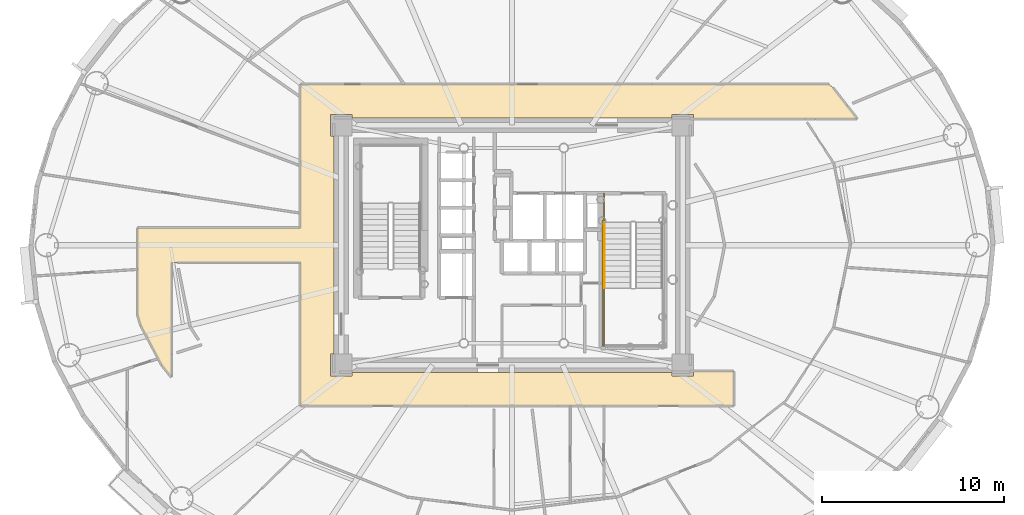
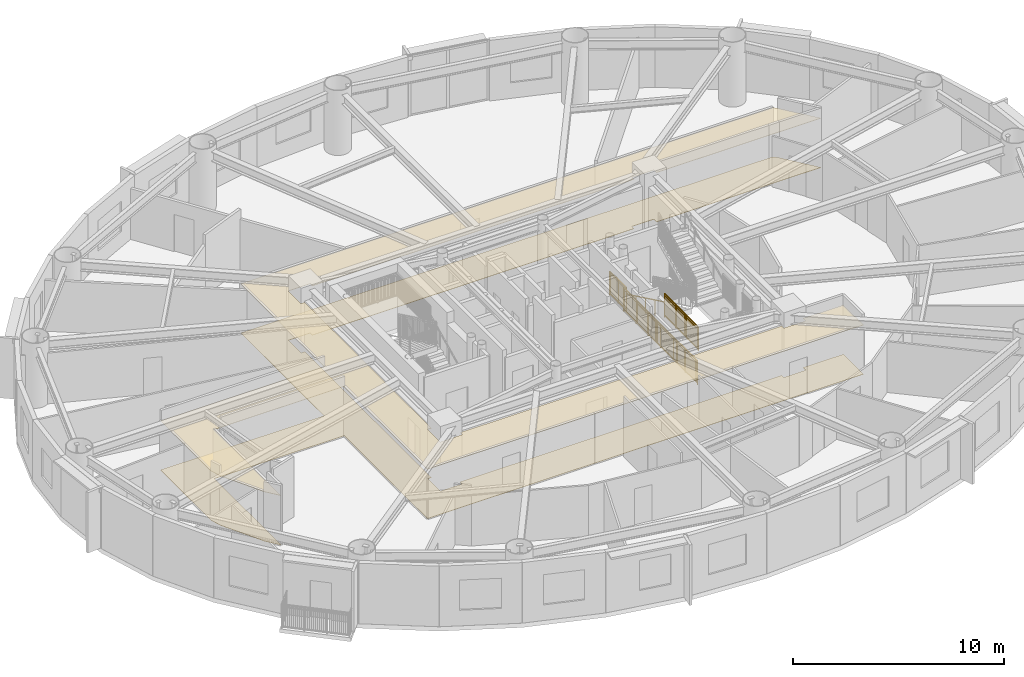
# One storey, part 15 of 18: 4 railings, 2 coverings.
"""IFC4 building model written with IfcOpenShell, lengths in metres."""

from ifc_helpers import new_model, si_unit, direction, frame, origin, origin_2d, place, context, subcontext, project, spatial, polyline, rectangle, outline, extrude, source, transform, mapped, material, layer, layer_set, type_object, element, save


model = new_model("IFC4")

# Units and contexts
model_context = context("Model", 3, precision=1e-05, world=origin(), true_north=direction((0.0, 1.0)))
body_context = subcontext(model_context, "Body", "Model", "MODEL_VIEW")
ifc_project = project(units=[si_unit("LENGTHUNIT", "METRE"), si_unit("AREAUNIT", "SQUARE_METRE"), si_unit("VOLUMEUNIT", "CUBIC_METRE"), si_unit("PLANEANGLEUNIT", "RADIAN"), si_unit("MASSUNIT", "GRAM", prefix="KILO")], contexts=[model_context])

# Site, building, storey
site_placement = place(None, origin())
site = spatial("IfcSite", under=ifc_project, at=site_placement, CompositionType="ELEMENT")
building_placement = place(site_placement, origin())
building = spatial("IfcBuilding", under=site, at=building_placement, Name="Linh Dai School and Residence Tower", CompositionType="ELEMENT")
storey_placement = place(building_placement, frame((0.0, 0.0, 167.39990234375)))
storey = spatial("IfcBuildingStorey", under=building, at=storey_placement, Name="L40", CompositionType="ELEMENT", Elevation=167.39990234375)

# Coverings
ifc_material_1 = material(Name="Mineral Fibre Acoustic Suspended Ceiling", Category="masonry")
ifc_layer_1 = layer(ifc_material_1, 0.02001953125)
ifc_layer_set_1 = layer_set([ifc_layer_1], Name="Mineral Fibre Acoustic Suspended Ceiling")
covering_type_1 = type_object("IfcCoveringType", Name="COV-CEIL-AC-20", PredefinedType="CEILING", material=ifc_layer_set_1)
covering_1_placement = place(storey_placement, frame((0.0, 0.0, 2.85009765625)))
element("IfcCovering", 1, at=covering_1_placement, inside=storey, type_object=covering_type_1, Name="L40 Residential Floor Corridor Suspended Ceiling", PredefinedType="CEILING", context=body_context, shape_type="SweptSolid", body=[
    extrude(outline(polyline([(17.25, 19.734375), (16.720458984375, 20.410888671875), (15.57421875, 22.577880859375), (15.39990234375, 23.14599609375), (15.39990234375, 27.949951171875), (24.35009765625, 27.949951171875), (24.35009765625, 35.85009765625), (53.453857421875, 35.85009765625), (53.6533203125, 35.6669921875), (54.9970703125, 33.949951171875), (46.0, 33.949951171875), (46.0, 34.199951171875), (44.800048828125, 34.199951171875), (44.800048828125, 34.0), (27.199951171875, 34.0), (27.199951171875, 34.199951171875), (26.0, 34.199951171875), (26.0, 33.0), (26.199951171875, 33.0), (26.199951171875, 21.0), (26.0, 21.0), (26.0, 19.800048828125), (27.199951171875, 19.800048828125), (27.199951171875, 20.0), (44.800048828125, 20.0), (44.800048828125, 19.800048828125), (46.0, 19.800048828125), (46.0, 20.050048828125), (48.199951171875, 20.050048828125), (48.199951171875, 18.14990234375), (24.35009765625, 18.14990234375), (24.35009765625, 26.050048828125), (17.25, 26.050048828125), (17.25, 19.734375)])), origin(), (0.0, 0.0, 1.0), 0.02001953125),
])
ifc_material_2 = material(Name="Polished Terrazzo Floor Finish", Category="masonry")
ifc_layer_2 = layer(ifc_material_2, 0.02490234375)
ifc_layer_set_2 = layer_set([ifc_layer_2], Name="Polished Terrazzo Floor Finish")
covering_type_2 = type_object("IfcCoveringType", Name="COV-FLR-TRZ-25", PredefinedType="FLOORING", material=ifc_layer_set_2)
covering_2_placement = place(storey_placement, origin())
element("IfcCovering", 2, at=covering_2_placement, inside=storey, type_object=covering_type_2, Name="L40 Residential Floor Corridor Floor Finish", PredefinedType="FLOORING", context=body_context, shape_type="SweptSolid", body=[
    extrude(outline(polyline([(17.25, 19.734375), (16.720458984375, 20.410888671875), (15.57421875, 22.577880859375), (15.39990234375, 23.14599609375), (15.39990234375, 27.949951171875), (24.35009765625, 27.949951171875), (24.35009765625, 35.85009765625), (53.453857421875, 35.85009765625), (53.6533203125, 35.6669921875), (54.9970703125, 33.949951171875), (46.0, 33.949951171875), (46.0, 34.199951171875), (44.800048828125, 34.199951171875), (44.800048828125, 34.0), (27.199951171875, 34.0), (27.199951171875, 34.199951171875), (26.0, 34.199951171875), (26.0, 33.0), (26.199951171875, 33.0), (26.199951171875, 21.0), (26.0, 21.0), (26.0, 19.800048828125), (27.199951171875, 19.800048828125), (27.199951171875, 20.0), (44.800048828125, 20.0), (44.800048828125, 19.800048828125), (46.0, 19.800048828125), (46.0, 20.050048828125), (48.199951171875, 20.050048828125), (48.199951171875, 18.14990234375), (24.35009765625, 18.14990234375), (24.35009765625, 26.050048828125), (17.25, 26.050048828125), (17.25, 19.734375)])), origin(), (0.0, 0.0, 1.0), 0.02001953125),
])

# Railings
ifc_material_3 = material(Name="Brushed Stainless Steel Handrail", Category="steel")
railing_type_1 = type_object("IfcRailingType", Name="RL-ST-HANDRAIL-900", PredefinedType="HANDRAIL", material=ifc_material_3)
shared_shape_1 = source(origin(), body_context, "Body", "SweptSolid", [
    extrude(rectangle(XDim=0.048095703125, YDim=0.048095703125, at=origin_2d()), frame((0.0, 0.0, 0.8759765625), z_axis=(0.0, -0.901262522062, 0.433273431364), x_axis=(1.0, 0.0, 0.0)), (0.0, 0.0, 1.0), 3.994384765625),
    extrude(rectangle(XDim=0.0419921875, YDim=0.0419921875, at=origin_2d()), origin(), (0.0, 0.0, 1.0), 0.8759765625),
    extrude(rectangle(XDim=0.0419921875, YDim=0.0419921875, at=origin_2d()), frame((0.0, -0.89990234375, 0.4326171875)), (0.0, 0.0, 1.0), 0.8759765625),
    extrude(rectangle(XDim=0.0419921875, YDim=0.0419921875, at=origin_2d()), frame((0.0, -1.800048828125, 0.865234375)), (0.0, 0.0, 1.0), 0.8759765625),
    extrude(rectangle(XDim=0.0419921875, YDim=0.0419921875, at=origin_2d()), frame((0.0, -2.7001953125, 1.298095703125)), (0.0, 0.0, 1.0), 0.8759765625),
    extrude(rectangle(XDim=0.0419921875, YDim=0.0419921875, at=origin_2d()), frame((0.0, -3.60009765625, 1.730712890625)), (0.0, 0.0, 1.0), 0.8759765625),
])
railing_1_placement = place(storey_placement, frame((41.070068359375, 28.25, 0.144287109375)))
element("IfcRailing", 3, at=railing_1_placement, inside=storey, type_object=railing_type_1, Name="L40 ST2 stair handrail 1", PredefinedType="HANDRAIL", context=body_context, shape_type="MappedRepresentation", body=[
    mapped(shared_shape_1, transform((0.0, 0.0, 0.0), x_axis=(1.0, 0.0, 0.0), y_axis=(0.0, 1.0, 0.0), z_axis=(0.0, 0.0, 1.0), scale=1.0)),
])
ifc_material_4 = material(Name="Structural Steel S355JR", Category="steel")
railing_type_2 = type_object("IfcRailingType", Name="RL-ST-GUARD-1400", PredefinedType="GUARDRAIL", material=ifc_material_4)
shared_shape_2 = source(origin(), body_context, "Body", "SweptSolid", [
    extrude(rectangle(XDim=0.048095703125, YDim=0.048095703125, at=origin_2d()), frame((0.0, 0.0, 1.3759765625), z_axis=(0.0, -1.0, 0.0), x_axis=(1.0, 0.0, 0.0)), (0.0, 0.0, 1.0), 1.60009765625),
    extrude(rectangle(XDim=0.048095703125, YDim=0.048095703125, at=origin_2d()), frame((0.0, 0.0, 0.10009765625), z_axis=(0.0, -1.0, 0.0), x_axis=(1.0, 0.0, 0.0)), (0.0, 0.0, 1.0), 1.60009765625),
    extrude(rectangle(XDim=0.030029296875, YDim=0.030029296875, at=origin_2d()), frame((0.0, 0.0, 1.239990234375), z_axis=(0.0, -1.0, 0.0), x_axis=(1.0, 0.0, 0.0)), (0.0, 0.0, 1.0), 1.60009765625),
    extrude(rectangle(XDim=0.02001953125, YDim=0.02001953125, at=origin_2d()), frame((0.0, -0.09423828125, 0.10009765625)), (0.0, 0.0, 1.0), 1.251708984375),
    extrude(rectangle(XDim=0.02001953125, YDim=0.02001953125, at=origin_2d()), frame((0.0, -0.188232421875, 0.10009765625)), (0.0, 0.0, 1.0), 1.251708984375),
    extrude(rectangle(XDim=0.02001953125, YDim=0.02001953125, at=origin_2d()), frame((0.0, -0.282470703125, 0.10009765625)), (0.0, 0.0, 1.0), 1.251708984375),
    extrude(rectangle(XDim=0.02001953125, YDim=0.02001953125, at=origin_2d()), frame((0.0, -0.37646484375, 0.10009765625)), (0.0, 0.0, 1.0), 1.251708984375),
    extrude(rectangle(XDim=0.02001953125, YDim=0.02001953125, at=origin_2d()), frame((0.0, -0.470703125, 0.10009765625)), (0.0, 0.0, 1.0), 1.251708984375),
    extrude(rectangle(XDim=0.02001953125, YDim=0.02001953125, at=origin_2d()), frame((0.0, -0.564697265625, 0.10009765625)), (0.0, 0.0, 1.0), 1.251708984375),
    extrude(rectangle(XDim=0.02001953125, YDim=0.02001953125, at=origin_2d()), frame((0.0, -0.658935546875, 0.10009765625)), (0.0, 0.0, 1.0), 1.251708984375),
    extrude(rectangle(XDim=0.02001953125, YDim=0.02001953125, at=origin_2d()), frame((0.0, -0.7529296875, 0.10009765625)), (0.0, 0.0, 1.0), 1.251708984375),
    extrude(rectangle(XDim=0.02001953125, YDim=0.02001953125, at=origin_2d()), frame((0.0, -0.84716796875, 0.10009765625)), (0.0, 0.0, 1.0), 1.251708984375),
    extrude(rectangle(XDim=0.02001953125, YDim=0.02001953125, at=origin_2d()), frame((0.0, -0.941162109375, 0.10009765625)), (0.0, 0.0, 1.0), 1.251708984375),
    extrude(rectangle(XDim=0.02001953125, YDim=0.02001953125, at=origin_2d()), frame((0.0, -1.035400390625, 0.10009765625)), (0.0, 0.0, 1.0), 1.251708984375),
    extrude(rectangle(XDim=0.02001953125, YDim=0.02001953125, at=origin_2d()), frame((0.0, -1.12939453125, 0.10009765625)), (0.0, 0.0, 1.0), 1.251708984375),
    extrude(rectangle(XDim=0.02001953125, YDim=0.02001953125, at=origin_2d()), frame((0.0, -1.2236328125, 0.10009765625)), (0.0, 0.0, 1.0), 1.251708984375),
    extrude(rectangle(XDim=0.02001953125, YDim=0.02001953125, at=origin_2d()), frame((0.0, -1.317626953125, 0.10009765625)), (0.0, 0.0, 1.0), 1.251708984375),
    extrude(rectangle(XDim=0.02001953125, YDim=0.02001953125, at=origin_2d()), frame((0.0, -1.411865234375, 0.10009765625)), (0.0, 0.0, 1.0), 1.251708984375),
    extrude(rectangle(XDim=0.02001953125, YDim=0.02001953125, at=origin_2d()), frame((0.0, -1.505859375, 0.10009765625)), (0.0, 0.0, 1.0), 1.251708984375),
    extrude(rectangle(XDim=0.0419921875, YDim=0.0419921875, at=origin_2d()), origin(), (0.0, 0.0, 1.0), 1.3759765625),
    extrude(rectangle(XDim=0.0419921875, YDim=0.0419921875, at=origin_2d()), frame((0.0, -0.800048828125, 0.0)), (0.0, 0.0, 1.0), 1.3759765625),
    extrude(rectangle(XDim=0.0419921875, YDim=0.0419921875, at=origin_2d()), frame((0.0, -1.60009765625, 0.0)), (0.0, 0.0, 1.0), 1.3759765625),
])
railing_2_placement = place(storey_placement, frame((41.070068359375, 29.85009765625, 0.0)))
element("IfcRailing", 4, at=railing_2_placement, inside=storey, type_object=railing_type_2, Name="L40 ST2 stair guard 8", PredefinedType="GUARDRAIL", context=body_context, shape_type="MappedRepresentation", body=[
    mapped(shared_shape_2, transform((0.0, 0.0, 0.0), x_axis=(1.0, 0.0, 0.0), y_axis=(0.0, 1.0, 0.0), z_axis=(0.0, 0.0, 1.0), scale=1.0)),
])
shared_shape_3 = source(origin(), body_context, "Body", "SweptSolid", [
    extrude(rectangle(XDim=0.048095703125, YDim=0.048095703125, at=origin_2d()), frame((0.0, 0.0, 1.3759765625), z_axis=(0.0, -1.0, 0.0), x_axis=(1.0, 0.0, 0.0)), (0.0, 0.0, 1.0), 7.0),
    extrude(rectangle(XDim=0.048095703125, YDim=0.048095703125, at=origin_2d()), frame((0.0, 0.0, 0.10009765625), z_axis=(0.0, -1.0, 0.0), x_axis=(1.0, 0.0, 0.0)), (0.0, 0.0, 1.0), 7.0),
    extrude(rectangle(XDim=0.030029296875, YDim=0.030029296875, at=origin_2d()), frame((0.0, 0.0, 1.239990234375), z_axis=(0.0, -1.0, 0.0), x_axis=(1.0, 0.0, 0.0)), (0.0, 0.0, 1.0), 7.0),
    extrude(rectangle(XDim=0.02001953125, YDim=0.02001953125, at=origin_2d()), frame((0.0, -0.09716796875, 0.10009765625)), (0.0, 0.0, 1.0), 1.251708984375),
    extrude(rectangle(XDim=0.02001953125, YDim=0.02001953125, at=origin_2d()), frame((0.0, -0.1943359375, 0.10009765625)), (0.0, 0.0, 1.0), 1.251708984375),
    extrude(rectangle(XDim=0.02001953125, YDim=0.02001953125, at=origin_2d()), frame((0.0, -0.291748046875, 0.10009765625)), (0.0, 0.0, 1.0), 1.251708984375),
    extrude(rectangle(XDim=0.02001953125, YDim=0.02001953125, at=origin_2d()), frame((0.0, -0.388916015625, 0.10009765625)), (0.0, 0.0, 1.0), 1.251708984375),
    extrude(rectangle(XDim=0.02001953125, YDim=0.02001953125, at=origin_2d()), frame((0.0, -0.486083984375, 0.10009765625)), (0.0, 0.0, 1.0), 1.251708984375),
    extrude(rectangle(XDim=0.02001953125, YDim=0.02001953125, at=origin_2d()), frame((0.0, -0.583251953125, 0.10009765625)), (0.0, 0.0, 1.0), 1.251708984375),
    extrude(rectangle(XDim=0.02001953125, YDim=0.02001953125, at=origin_2d()), frame((0.0, -0.6806640625, 0.10009765625)), (0.0, 0.0, 1.0), 1.251708984375),
    extrude(rectangle(XDim=0.02001953125, YDim=0.02001953125, at=origin_2d()), frame((0.0, -0.77783203125, 0.10009765625)), (0.0, 0.0, 1.0), 1.251708984375),
    extrude(rectangle(XDim=0.02001953125, YDim=0.02001953125, at=origin_2d()), frame((0.0, -0.875, 0.10009765625)), (0.0, 0.0, 1.0), 1.251708984375),
    extrude(rectangle(XDim=0.02001953125, YDim=0.02001953125, at=origin_2d()), frame((0.0, -0.97216796875, 0.10009765625)), (0.0, 0.0, 1.0), 1.251708984375),
    extrude(rectangle(XDim=0.02001953125, YDim=0.02001953125, at=origin_2d()), frame((0.0, -1.0693359375, 0.10009765625)), (0.0, 0.0, 1.0), 1.251708984375),
    extrude(rectangle(XDim=0.02001953125, YDim=0.02001953125, at=origin_2d()), frame((0.0, -1.263916015625, 0.10009765625)), (0.0, 0.0, 1.0), 1.251708984375),
    extrude(rectangle(XDim=0.02001953125, YDim=0.02001953125, at=origin_2d()), frame((0.0, -1.361083984375, 0.10009765625)), (0.0, 0.0, 1.0), 1.251708984375),
    extrude(rectangle(XDim=0.02001953125, YDim=0.02001953125, at=origin_2d()), frame((0.0, -1.458251953125, 0.10009765625)), (0.0, 0.0, 1.0), 1.251708984375),
    extrude(rectangle(XDim=0.02001953125, YDim=0.02001953125, at=origin_2d()), frame((0.0, -1.5556640625, 0.10009765625)), (0.0, 0.0, 1.0), 1.251708984375),
    extrude(rectangle(XDim=0.02001953125, YDim=0.02001953125, at=origin_2d()), frame((0.0, -1.65283203125, 0.10009765625)), (0.0, 0.0, 1.0), 1.251708984375),
    extrude(rectangle(XDim=0.02001953125, YDim=0.02001953125, at=origin_2d()), frame((0.0, -1.75, 0.10009765625)), (0.0, 0.0, 1.0), 1.251708984375),
    extrude(rectangle(XDim=0.02001953125, YDim=0.02001953125, at=origin_2d()), frame((0.0, -1.84716796875, 0.10009765625)), (0.0, 0.0, 1.0), 1.251708984375),
    extrude(rectangle(XDim=0.02001953125, YDim=0.02001953125, at=origin_2d()), frame((0.0, -1.9443359375, 0.10009765625)), (0.0, 0.0, 1.0), 1.251708984375),
    extrude(rectangle(XDim=0.02001953125, YDim=0.02001953125, at=origin_2d()), frame((0.0, -2.041748046875, 0.10009765625)), (0.0, 0.0, 1.0), 1.251708984375),
    extrude(rectangle(XDim=0.02001953125, YDim=0.02001953125, at=origin_2d()), frame((0.0, -2.138916015625, 0.10009765625)), (0.0, 0.0, 1.0), 1.251708984375),
    extrude(rectangle(XDim=0.02001953125, YDim=0.02001953125, at=origin_2d()), frame((0.0, -2.236083984375, 0.10009765625)), (0.0, 0.0, 1.0), 1.251708984375),
    extrude(rectangle(XDim=0.02001953125, YDim=0.02001953125, at=origin_2d()), frame((0.0, -2.4306640625, 0.10009765625)), (0.0, 0.0, 1.0), 1.251708984375),
    extrude(rectangle(XDim=0.02001953125, YDim=0.02001953125, at=origin_2d()), frame((0.0, -2.52783203125, 0.10009765625)), (0.0, 0.0, 1.0), 1.251708984375),
    extrude(rectangle(XDim=0.02001953125, YDim=0.02001953125, at=origin_2d()), frame((0.0, -2.625, 0.10009765625)), (0.0, 0.0, 1.0), 1.251708984375),
    extrude(rectangle(XDim=0.02001953125, YDim=0.02001953125, at=origin_2d()), frame((0.0, -2.72216796875, 0.10009765625)), (0.0, 0.0, 1.0), 1.251708984375),
    extrude(rectangle(XDim=0.02001953125, YDim=0.02001953125, at=origin_2d()), frame((0.0, -2.8193359375, 0.10009765625)), (0.0, 0.0, 1.0), 1.251708984375),
    extrude(rectangle(XDim=0.02001953125, YDim=0.02001953125, at=origin_2d()), frame((0.0, -2.916748046875, 0.10009765625)), (0.0, 0.0, 1.0), 1.251708984375),
    extrude(rectangle(XDim=0.02001953125, YDim=0.02001953125, at=origin_2d()), frame((0.0, -3.013916015625, 0.10009765625)), (0.0, 0.0, 1.0), 1.251708984375),
    extrude(rectangle(XDim=0.02001953125, YDim=0.02001953125, at=origin_2d()), frame((0.0, -3.111083984375, 0.10009765625)), (0.0, 0.0, 1.0), 1.251708984375),
    extrude(rectangle(XDim=0.02001953125, YDim=0.02001953125, at=origin_2d()), frame((0.0, -3.208251953125, 0.10009765625)), (0.0, 0.0, 1.0), 1.251708984375),
    extrude(rectangle(XDim=0.02001953125, YDim=0.02001953125, at=origin_2d()), frame((0.0, -3.3056640625, 0.10009765625)), (0.0, 0.0, 1.0), 1.251708984375),
    extrude(rectangle(XDim=0.02001953125, YDim=0.02001953125, at=origin_2d()), frame((0.0, -3.40283203125, 0.10009765625)), (0.0, 0.0, 1.0), 1.251708984375),
    extrude(rectangle(XDim=0.02001953125, YDim=0.02001953125, at=origin_2d()), frame((0.0, -3.59716796875, 0.10009765625)), (0.0, 0.0, 1.0), 1.251708984375),
    extrude(rectangle(XDim=0.02001953125, YDim=0.02001953125, at=origin_2d()), frame((0.0, -3.6943359375, 0.10009765625)), (0.0, 0.0, 1.0), 1.251708984375),
    extrude(rectangle(XDim=0.02001953125, YDim=0.02001953125, at=origin_2d()), frame((0.0, -3.791748046875, 0.10009765625)), (0.0, 0.0, 1.0), 1.251708984375),
    extrude(rectangle(XDim=0.02001953125, YDim=0.02001953125, at=origin_2d()), frame((0.0, -3.888916015625, 0.10009765625)), (0.0, 0.0, 1.0), 1.251708984375),
    extrude(rectangle(XDim=0.02001953125, YDim=0.02001953125, at=origin_2d()), frame((0.0, -3.986083984375, 0.10009765625)), (0.0, 0.0, 1.0), 1.251708984375),
    extrude(rectangle(XDim=0.02001953125, YDim=0.02001953125, at=origin_2d()), frame((0.0, -4.083251953125, 0.10009765625)), (0.0, 0.0, 1.0), 1.251708984375),
    extrude(rectangle(XDim=0.02001953125, YDim=0.02001953125, at=origin_2d()), frame((0.0, -4.1806640625, 0.10009765625)), (0.0, 0.0, 1.0), 1.251708984375),
    extrude(rectangle(XDim=0.02001953125, YDim=0.02001953125, at=origin_2d()), frame((0.0, -4.27783203125, 0.10009765625)), (0.0, 0.0, 1.0), 1.251708984375),
    extrude(rectangle(XDim=0.02001953125, YDim=0.02001953125, at=origin_2d()), frame((0.0, -4.375, 0.10009765625)), (0.0, 0.0, 1.0), 1.251708984375),
    extrude(rectangle(XDim=0.02001953125, YDim=0.02001953125, at=origin_2d()), frame((0.0, -4.47216796875, 0.10009765625)), (0.0, 0.0, 1.0), 1.251708984375),
    extrude(rectangle(XDim=0.02001953125, YDim=0.02001953125, at=origin_2d()), frame((0.0, -4.5693359375, 0.10009765625)), (0.0, 0.0, 1.0), 1.251708984375),
    extrude(rectangle(XDim=0.02001953125, YDim=0.02001953125, at=origin_2d()), frame((0.0, -4.763916015625, 0.10009765625)), (0.0, 0.0, 1.0), 1.251708984375),
    extrude(rectangle(XDim=0.02001953125, YDim=0.02001953125, at=origin_2d()), frame((0.0, -4.861083984375, 0.10009765625)), (0.0, 0.0, 1.0), 1.251708984375),
    extrude(rectangle(XDim=0.02001953125, YDim=0.02001953125, at=origin_2d()), frame((0.0, -4.958251953125, 0.10009765625)), (0.0, 0.0, 1.0), 1.251708984375),
    extrude(rectangle(XDim=0.02001953125, YDim=0.02001953125, at=origin_2d()), frame((0.0, -5.0556640625, 0.10009765625)), (0.0, 0.0, 1.0), 1.251708984375),
    extrude(rectangle(XDim=0.02001953125, YDim=0.02001953125, at=origin_2d()), frame((0.0, -5.15283203125, 0.10009765625)), (0.0, 0.0, 1.0), 1.251708984375),
    extrude(rectangle(XDim=0.02001953125, YDim=0.02001953125, at=origin_2d()), frame((0.0, -5.25, 0.10009765625)), (0.0, 0.0, 1.0), 1.251708984375),
    extrude(rectangle(XDim=0.02001953125, YDim=0.02001953125, at=origin_2d()), frame((0.0, -5.34716796875, 0.10009765625)), (0.0, 0.0, 1.0), 1.251708984375),
    extrude(rectangle(XDim=0.02001953125, YDim=0.02001953125, at=origin_2d()), frame((0.0, -5.4443359375, 0.10009765625)), (0.0, 0.0, 1.0), 1.251708984375),
    extrude(rectangle(XDim=0.02001953125, YDim=0.02001953125, at=origin_2d()), frame((0.0, -5.541748046875, 0.10009765625)), (0.0, 0.0, 1.0), 1.251708984375),
    extrude(rectangle(XDim=0.02001953125, YDim=0.02001953125, at=origin_2d()), frame((0.0, -5.638916015625, 0.10009765625)), (0.0, 0.0, 1.0), 1.251708984375),
    extrude(rectangle(XDim=0.02001953125, YDim=0.02001953125, at=origin_2d()), frame((0.0, -5.736083984375, 0.10009765625)), (0.0, 0.0, 1.0), 1.251708984375),
    extrude(rectangle(XDim=0.02001953125, YDim=0.02001953125, at=origin_2d()), frame((0.0, -5.9306640625, 0.10009765625)), (0.0, 0.0, 1.0), 1.251708984375),
    extrude(rectangle(XDim=0.02001953125, YDim=0.02001953125, at=origin_2d()), frame((0.0, -6.02783203125, 0.10009765625)), (0.0, 0.0, 1.0), 1.251708984375),
    extrude(rectangle(XDim=0.02001953125, YDim=0.02001953125, at=origin_2d()), frame((0.0, -6.125, 0.10009765625)), (0.0, 0.0, 1.0), 1.251708984375),
    extrude(rectangle(XDim=0.02001953125, YDim=0.02001953125, at=origin_2d()), frame((0.0, -6.22216796875, 0.10009765625)), (0.0, 0.0, 1.0), 1.251708984375),
    extrude(rectangle(XDim=0.02001953125, YDim=0.02001953125, at=origin_2d()), frame((0.0, -6.3193359375, 0.10009765625)), (0.0, 0.0, 1.0), 1.251708984375),
    extrude(rectangle(XDim=0.02001953125, YDim=0.02001953125, at=origin_2d()), frame((0.0, -6.416748046875, 0.10009765625)), (0.0, 0.0, 1.0), 1.251708984375),
    extrude(rectangle(XDim=0.02001953125, YDim=0.02001953125, at=origin_2d()), frame((0.0, -6.513916015625, 0.10009765625)), (0.0, 0.0, 1.0), 1.251708984375),
    extrude(rectangle(XDim=0.02001953125, YDim=0.02001953125, at=origin_2d()), frame((0.0, -6.611083984375, 0.10009765625)), (0.0, 0.0, 1.0), 1.251708984375),
    extrude(rectangle(XDim=0.02001953125, YDim=0.02001953125, at=origin_2d()), frame((0.0, -6.708251953125, 0.10009765625)), (0.0, 0.0, 1.0), 1.251708984375),
    extrude(rectangle(XDim=0.02001953125, YDim=0.02001953125, at=origin_2d()), frame((0.0, -6.8056640625, 0.10009765625)), (0.0, 0.0, 1.0), 1.251708984375),
    extrude(rectangle(XDim=0.02001953125, YDim=0.02001953125, at=origin_2d()), frame((0.0, -6.90283203125, 0.10009765625)), (0.0, 0.0, 1.0), 1.251708984375),
    extrude(rectangle(XDim=0.0419921875, YDim=0.0419921875, at=origin_2d()), origin(), (0.0, 0.0, 1.0), 1.3759765625),
    extrude(rectangle(XDim=0.0419921875, YDim=0.0419921875, at=origin_2d()), frame((0.0, -1.166748046875, 0.0)), (0.0, 0.0, 1.0), 1.3759765625),
    extrude(rectangle(XDim=0.0419921875, YDim=0.0419921875, at=origin_2d()), frame((0.0, -2.333251953125, 0.0)), (0.0, 0.0, 1.0), 1.3759765625),
    extrude(rectangle(XDim=0.0419921875, YDim=0.0419921875, at=origin_2d()), frame((0.0, -3.5, 0.0)), (0.0, 0.0, 1.0), 1.3759765625),
    extrude(rectangle(XDim=0.0419921875, YDim=0.0419921875, at=origin_2d()), frame((0.0, -4.666748046875, 0.0)), (0.0, 0.0, 1.0), 1.3759765625),
    extrude(rectangle(XDim=0.0419921875, YDim=0.0419921875, at=origin_2d()), frame((0.0, -5.833251953125, 0.0)), (0.0, 0.0, 1.0), 1.3759765625),
    extrude(rectangle(XDim=0.0419921875, YDim=0.0419921875, at=origin_2d()), frame((0.0, -7.0, 0.0)), (0.0, 0.0, 1.0), 1.3759765625),
])
railing_3_placement = place(storey_placement, frame((40.969970703125, 28.35009765625, 0.0)))
element("IfcRailing", 5, at=railing_3_placement, inside=storey, type_object=railing_type_2, Name="L40 ST2 stair guard 10", PredefinedType="GUARDRAIL", context=body_context, shape_type="MappedRepresentation", body=[
    mapped(shared_shape_3, transform((0.0, 0.0, 0.0), x_axis=(1.0, 0.0, 0.0), y_axis=(0.0, 1.0, 0.0), z_axis=(0.0, 0.0, 1.0), scale=1.0)),
])
shared_shape_4 = source(origin(), body_context, "Body", "SweptSolid", [
    extrude(rectangle(XDim=0.048095703125, YDim=0.048095703125, at=origin_2d()), frame((0.0, 0.0, 1.3759765625), z_axis=(0.0, -1.0, 0.0), x_axis=(1.0, 0.0, 0.0)), (0.0, 0.0, 1.0), 3.199951171875),
    extrude(rectangle(XDim=0.048095703125, YDim=0.048095703125, at=origin_2d()), frame((0.0, 0.0, 0.10009765625), z_axis=(0.0, -1.0, 0.0), x_axis=(1.0, 0.0, 0.0)), (0.0, 0.0, 1.0), 3.199951171875),
    extrude(rectangle(XDim=0.030029296875, YDim=0.030029296875, at=origin_2d()), frame((0.0, 0.0, 1.239990234375), z_axis=(0.0, -1.0, 0.0), x_axis=(1.0, 0.0, 0.0)), (0.0, 0.0, 1.0), 3.199951171875),
    extrude(rectangle(XDim=0.02001953125, YDim=0.02001953125, at=origin_2d()), frame((0.0, -0.096923828125, 0.10009765625)), (0.0, 0.0, 1.0), 1.251708984375),
    extrude(rectangle(XDim=0.02001953125, YDim=0.02001953125, at=origin_2d()), frame((0.0, -0.19384765625, 0.10009765625)), (0.0, 0.0, 1.0), 1.251708984375),
    extrude(rectangle(XDim=0.02001953125, YDim=0.02001953125, at=origin_2d()), frame((0.0, -0.291015625, 0.10009765625)), (0.0, 0.0, 1.0), 1.251708984375),
    extrude(rectangle(XDim=0.02001953125, YDim=0.02001953125, at=origin_2d()), frame((0.0, -0.387939453125, 0.10009765625)), (0.0, 0.0, 1.0), 1.251708984375),
    extrude(rectangle(XDim=0.02001953125, YDim=0.02001953125, at=origin_2d()), frame((0.0, -0.48486328125, 0.10009765625)), (0.0, 0.0, 1.0), 1.251708984375),
    extrude(rectangle(XDim=0.02001953125, YDim=0.02001953125, at=origin_2d()), frame((0.0, -0.581787109375, 0.10009765625)), (0.0, 0.0, 1.0), 1.251708984375),
    extrude(rectangle(XDim=0.02001953125, YDim=0.02001953125, at=origin_2d()), frame((0.0, -0.6787109375, 0.10009765625)), (0.0, 0.0, 1.0), 1.251708984375),
    extrude(rectangle(XDim=0.02001953125, YDim=0.02001953125, at=origin_2d()), frame((0.0, -0.775634765625, 0.10009765625)), (0.0, 0.0, 1.0), 1.251708984375),
    extrude(rectangle(XDim=0.02001953125, YDim=0.02001953125, at=origin_2d()), frame((0.0, -0.872802734375, 0.10009765625)), (0.0, 0.0, 1.0), 1.251708984375),
    extrude(rectangle(XDim=0.02001953125, YDim=0.02001953125, at=origin_2d()), frame((0.0, -0.9697265625, 0.10009765625)), (0.0, 0.0, 1.0), 1.251708984375),
    extrude(rectangle(XDim=0.02001953125, YDim=0.02001953125, at=origin_2d()), frame((0.0, -1.16357421875, 0.10009765625)), (0.0, 0.0, 1.0), 1.251708984375),
    extrude(rectangle(XDim=0.02001953125, YDim=0.02001953125, at=origin_2d()), frame((0.0, -1.260498046875, 0.10009765625)), (0.0, 0.0, 1.0), 1.251708984375),
    extrude(rectangle(XDim=0.02001953125, YDim=0.02001953125, at=origin_2d()), frame((0.0, -1.357666015625, 0.10009765625)), (0.0, 0.0, 1.0), 1.251708984375),
    extrude(rectangle(XDim=0.02001953125, YDim=0.02001953125, at=origin_2d()), frame((0.0, -1.45458984375, 0.10009765625)), (0.0, 0.0, 1.0), 1.251708984375),
    extrude(rectangle(XDim=0.02001953125, YDim=0.02001953125, at=origin_2d()), frame((0.0, -1.551513671875, 0.10009765625)), (0.0, 0.0, 1.0), 1.251708984375),
    extrude(rectangle(XDim=0.02001953125, YDim=0.02001953125, at=origin_2d()), frame((0.0, -1.6484375, 0.10009765625)), (0.0, 0.0, 1.0), 1.251708984375),
    extrude(rectangle(XDim=0.02001953125, YDim=0.02001953125, at=origin_2d()), frame((0.0, -1.745361328125, 0.10009765625)), (0.0, 0.0, 1.0), 1.251708984375),
    extrude(rectangle(XDim=0.02001953125, YDim=0.02001953125, at=origin_2d()), frame((0.0, -1.84228515625, 0.10009765625)), (0.0, 0.0, 1.0), 1.251708984375),
    extrude(rectangle(XDim=0.02001953125, YDim=0.02001953125, at=origin_2d()), frame((0.0, -1.939453125, 0.10009765625)), (0.0, 0.0, 1.0), 1.251708984375),
    extrude(rectangle(XDim=0.02001953125, YDim=0.02001953125, at=origin_2d()), frame((0.0, -2.036376953125, 0.10009765625)), (0.0, 0.0, 1.0), 1.251708984375),
    extrude(rectangle(XDim=0.02001953125, YDim=0.02001953125, at=origin_2d()), frame((0.0, -2.230224609375, 0.10009765625)), (0.0, 0.0, 1.0), 1.251708984375),
    extrude(rectangle(XDim=0.02001953125, YDim=0.02001953125, at=origin_2d()), frame((0.0, -2.3271484375, 0.10009765625)), (0.0, 0.0, 1.0), 1.251708984375),
    extrude(rectangle(XDim=0.02001953125, YDim=0.02001953125, at=origin_2d()), frame((0.0, -2.42431640625, 0.10009765625)), (0.0, 0.0, 1.0), 1.251708984375),
    extrude(rectangle(XDim=0.02001953125, YDim=0.02001953125, at=origin_2d()), frame((0.0, -2.521240234375, 0.10009765625)), (0.0, 0.0, 1.0), 1.251708984375),
    extrude(rectangle(XDim=0.02001953125, YDim=0.02001953125, at=origin_2d()), frame((0.0, -2.6181640625, 0.10009765625)), (0.0, 0.0, 1.0), 1.251708984375),
    extrude(rectangle(XDim=0.02001953125, YDim=0.02001953125, at=origin_2d()), frame((0.0, -2.715087890625, 0.10009765625)), (0.0, 0.0, 1.0), 1.251708984375),
    extrude(rectangle(XDim=0.02001953125, YDim=0.02001953125, at=origin_2d()), frame((0.0, -2.81201171875, 0.10009765625)), (0.0, 0.0, 1.0), 1.251708984375),
    extrude(rectangle(XDim=0.02001953125, YDim=0.02001953125, at=origin_2d()), frame((0.0, -2.908935546875, 0.10009765625)), (0.0, 0.0, 1.0), 1.251708984375),
    extrude(rectangle(XDim=0.02001953125, YDim=0.02001953125, at=origin_2d()), frame((0.0, -3.006103515625, 0.10009765625)), (0.0, 0.0, 1.0), 1.251708984375),
    extrude(rectangle(XDim=0.02001953125, YDim=0.02001953125, at=origin_2d()), frame((0.0, -3.10302734375, 0.10009765625)), (0.0, 0.0, 1.0), 1.251708984375),
    extrude(rectangle(XDim=0.0419921875, YDim=0.0419921875, at=origin_2d()), origin(), (0.0, 0.0, 1.0), 1.3759765625),
    extrude(rectangle(XDim=0.0419921875, YDim=0.0419921875, at=origin_2d()), frame((0.0, -1.066650390625, 0.0)), (0.0, 0.0, 1.0), 1.3759765625),
    extrude(rectangle(XDim=0.0419921875, YDim=0.0419921875, at=origin_2d()), frame((0.0, -2.13330078125, 0.0)), (0.0, 0.0, 1.0), 1.3759765625),
    extrude(rectangle(XDim=0.0419921875, YDim=0.0419921875, at=origin_2d()), frame((0.0, -3.199951171875, 0.0)), (0.0, 0.0, 1.0), 1.3759765625),
])
railing_4_placement = place(storey_placement, frame((41.070068359375, 24.64990234375, 1.875)))
element("IfcRailing", 6, at=railing_4_placement, inside=storey, type_object=railing_type_2, Name="L40 ST2 stair guard 3", PredefinedType="GUARDRAIL", context=body_context, shape_type="MappedRepresentation", body=[
    mapped(shared_shape_4, transform((0.0, 0.0, 0.0), x_axis=(1.0, 0.0, 0.0), y_axis=(0.0, 1.0, 0.0), z_axis=(0.0, 0.0, 1.0), scale=1.0)),
])

save(model, "model.ifc")
